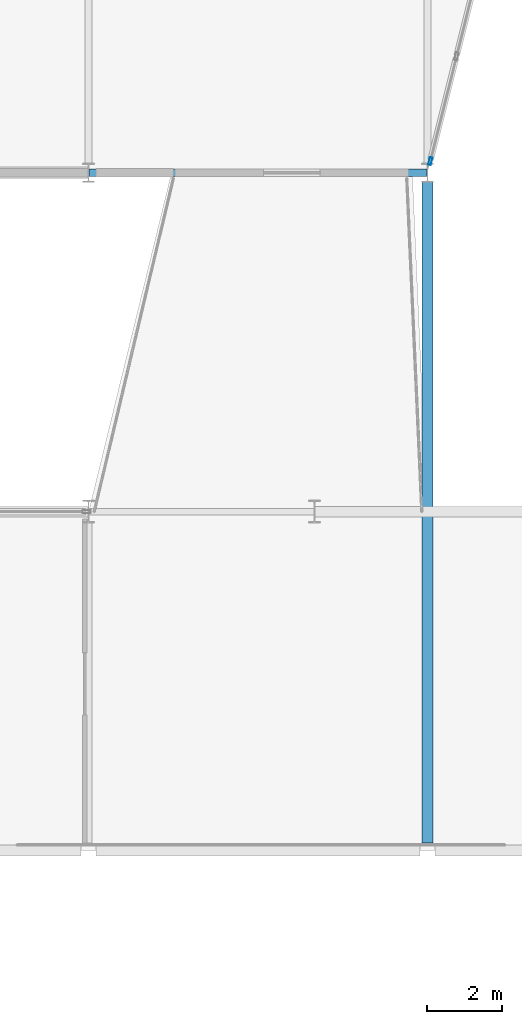
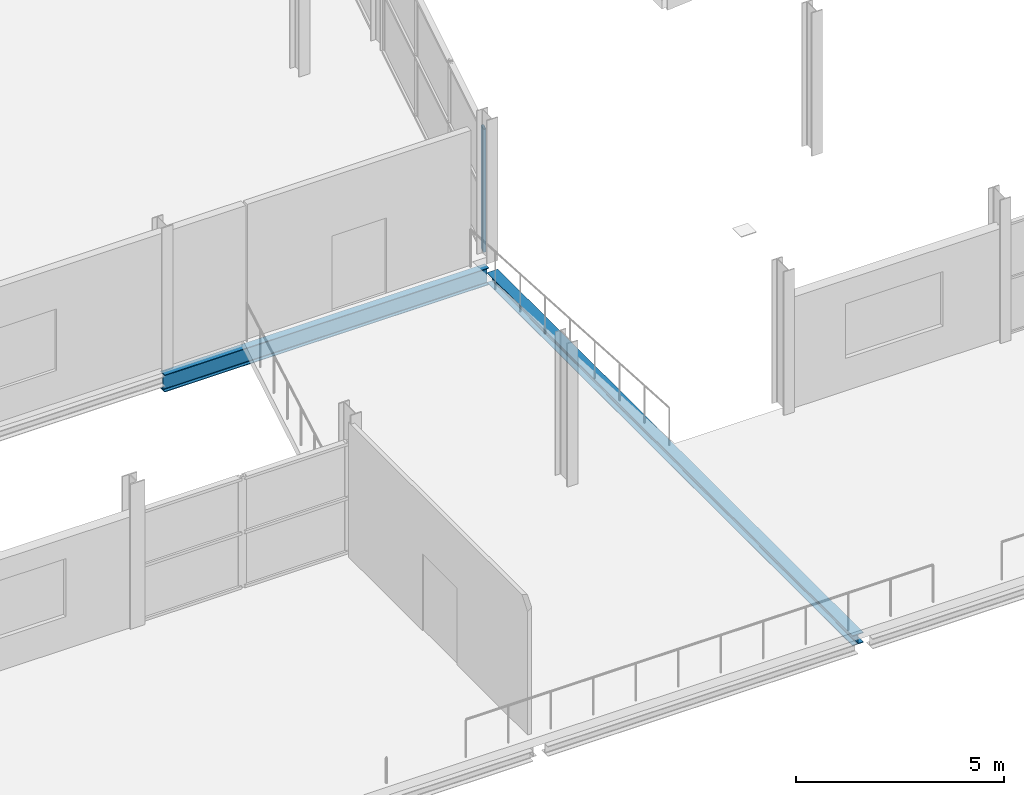
# One storey, part 48 of 135: 2 beams, 1 member, 1 element without a shape of its own.
"""IFC4 building model written with IfcOpenShell, lengths in metres."""

from ifc_helpers import new_model, si_unit, direction, frame, origin, origin_2d, place, context, subcontext, project, spatial, hollow_rectangle, i_section, extrude, material, layer, layer_set, material_profile, profile_set, type_object, element, aggregate, save


model = new_model("IFC4")

# Units and contexts
model_context = context("Model", 3, precision=1e-05, world=origin(), true_north=direction((0.0, 1.0)))
body_context = subcontext(model_context, "Body", "Model", "MODEL_VIEW")
ifc_project = project(units=[si_unit("LENGTHUNIT", "METRE"), si_unit("AREAUNIT", "SQUARE_METRE"), si_unit("VOLUMEUNIT", "CUBIC_METRE"), si_unit("PLANEANGLEUNIT", "RADIAN"), si_unit("MASSUNIT", "GRAM", prefix="KILO")], contexts=[model_context])

# Site, building, storey
site_placement = place(None, origin())
site = spatial("IfcSite", under=ifc_project, at=site_placement, CompositionType="ELEMENT")
building_placement = place(site_placement, origin())
building = spatial("IfcBuilding", under=site, at=building_placement, Name="Deido Ridge Mobility Hub", CompositionType="ELEMENT")
storey_placement = place(building_placement, frame((0.0, 0.0, 4.199951171875)))
storey = spatial("IfcBuildingStorey", under=building, at=storey_placement, Name="L01", CompositionType="ELEMENT", Elevation=4.199951171875)

# Beam
ifc_material_1 = material(Name="Steel S355J2 EN 10025-2", Category="steel")
ifc_material_profile_1 = material_profile(ifc_material_1, i_section(OverallWidth=0.199951171875, OverallDepth=0.5, WebThickness=0.01025390625, FlangeThickness=0.01611328125, FilletRadius=0.02099609375, at=origin_2d()), Name="IPE 500")
ifc_profile_set_1 = profile_set([ifc_material_profile_1], Name="Steel S355J2 EN 10025-2")
beam_type_1 = type_object("IfcBeamType", Name="BM-IPE500", PredefinedType="BEAM", material=ifc_profile_set_1)
beam_1_placement = place(storey_placement, frame((36.007080078125, 45.0, -0.5), z_axis=(1.0, 0.0, 0.0), x_axis=(0.0, 1.0, 0.0)))
element("IfcBeam", 1, at=beam_1_placement, inside=storey, type_object=beam_type_1, Name="Floor beam B3", PredefinedType="BEAM", context=body_context, shape_type="SweptSolid", body=[
    extrude(i_section(OverallWidth=0.199951171875, OverallDepth=0.5, WebThickness=0.01025390625, FlangeThickness=0.01611328125, FilletRadius=0.02099609375, at=origin_2d()), origin(), (0.0, 0.0, 1.0), 8.98583984375),
])

# Curtain wall, member
ifc_material_2 = material(Name="Anodised aluminium EN AW-6063 T6", Category="aluminium")
ifc_layer = layer(ifc_material_2, 0.22509765625, Name="Anodised aluminium EN AW-6063 T6")
ifc_layer_set = layer_set([ifc_layer], Name="Anodised aluminium EN AW-6063 T6")
curtain_wall_type = type_object("IfcCurtainWallType", Name="CW-UF-5", PredefinedType="USERDEFINED", material=ifc_layer_set)
curtain_wall_placement = place(storey_placement, origin())
curtain_wall = element("IfcCurtainWall", 2, at=curtain_wall_placement, inside=storey, type_object=curtain_wall_type, Name="Unitised curtain wall CW5", ObjectType="UNITISED FACADE", PredefinedType="USERDEFINED")
ifc_material_profile_2 = material_profile(ifc_material_2, hollow_rectangle(XDim=0.074951171875, YDim=0.205078125, WallThickness=0.00390625, at=origin_2d()), Name="RHS 75x205x4")
ifc_profile_set_2 = profile_set([ifc_material_profile_2], Name="Anodised aluminium EN AW-6063 T6")
member_type = type_object("IfcMemberType", Name="MEM-MUL-75X205", PredefinedType="MULLION", material=ifc_profile_set_2)
member_placement = place(storey_placement, frame((45.07666015625, 45.306884765625, 0.0), z_axis=(0.0, 0.0, 1.0), x_axis=(-0.970139801497, 0.242546419373, 0.0)))
member = element("IfcMember", 3, at=member_placement, type_object=member_type, Name="CW5 mullion 1", PredefinedType="MULLION", context=body_context, shape_type="SweptSolid", body=[
    extrude(hollow_rectangle(XDim=0.074951171875, YDim=0.205078125, WallThickness=0.00390625, at=origin_2d()), origin(), (0.0, 0.0, 1.0), 3.60009765625),
])
aggregate(curtain_wall, [member])

# Beam
ifc_material_profile_3 = material_profile(ifc_material_1, i_section(OverallWidth=0.300048828125, OverallDepth=0.300048828125, WebThickness=0.010986328125, FlangeThickness=0.01904296875, FilletRadius=0.027099609375, at=origin_2d()), Name="HEB 300")
ifc_profile_set_3 = profile_set([ifc_material_profile_3], Name="Steel S355J2 EN 10025-2")
beam_type_2 = type_object("IfcBeamType", Name="SPD-HEB300", PredefinedType="SPANDREL", material=ifc_profile_set_3)
beam_2_placement = place(storey_placement, frame((45.0, 27.203125, -0.39990234375), z_axis=(0.0, 1.0, 0.0), x_axis=(-1.0, 0.0, 0.0)))
element("IfcBeam", 4, at=beam_2_placement, inside=storey, type_object=beam_type_2, Name="Floor beam SP1", PredefinedType="SPANDREL", context=body_context, shape_type="SweptSolid", body=[
    extrude(i_section(OverallWidth=0.300048828125, OverallDepth=0.300048828125, WebThickness=0.010986328125, FlangeThickness=0.01904296875, FilletRadius=0.027099609375, at=origin_2d()), origin(), (0.0, 0.0, 1.0), 17.546875),
])

save(model, "model.ifc")
